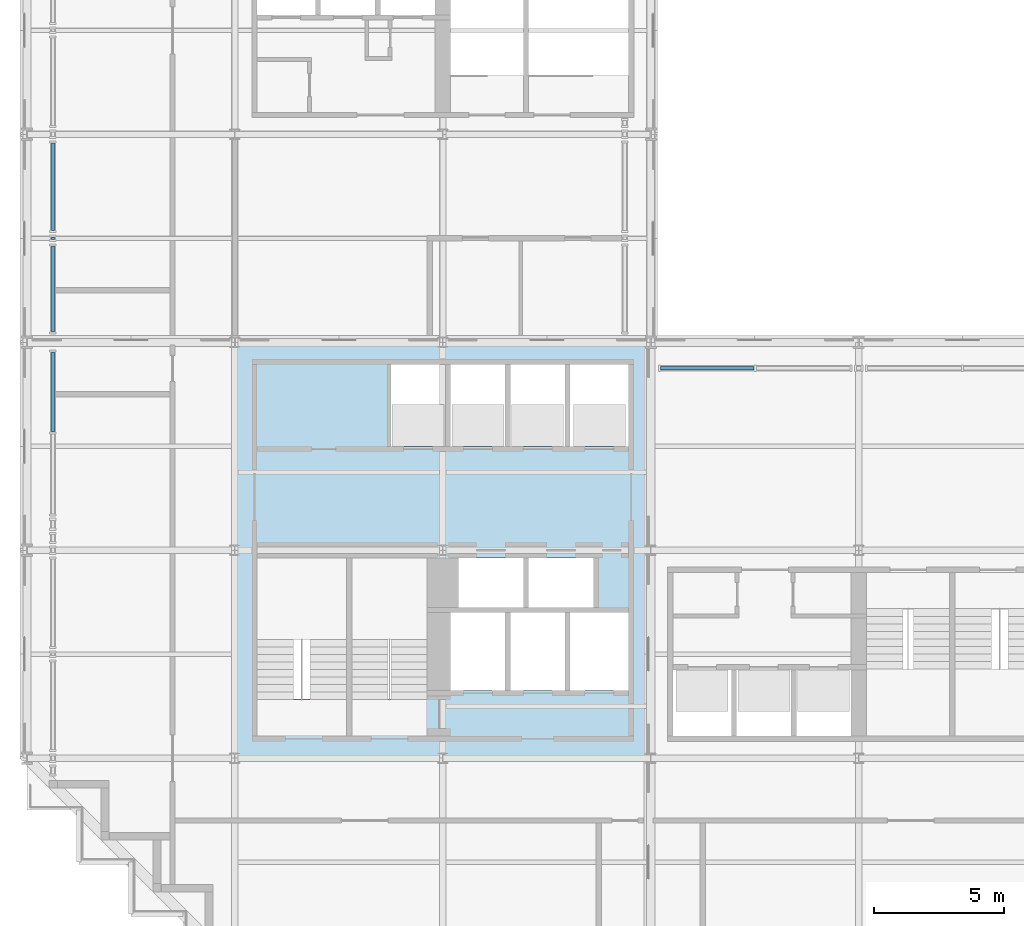
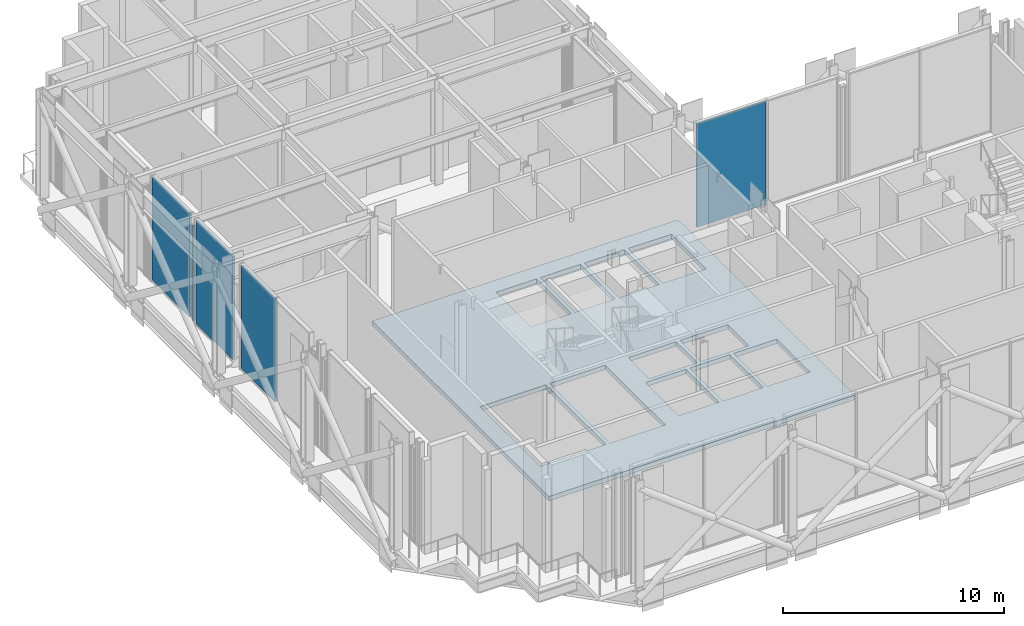
# One storey, part 11 of 23: 5 plates, 1 slab, 5 elements without a shape of their own.
"""IFC4 building model written with IfcOpenShell, lengths in metres."""

from ifc_helpers import new_model, si_unit, direction, frame, origin, origin_2d, place, context, subcontext, project, spatial, polyline, rectangle, outline, extrude, material, layer, layer_set, type_object, element, aggregate, save


model = new_model("IFC4")

# Units and contexts
model_context = context("Model", 3, precision=1e-05, world=origin(), true_north=direction((0.0, 1.0)))
body_context = subcontext(model_context, "Body", "Model", "MODEL_VIEW")
ifc_project = project(units=[si_unit("LENGTHUNIT", "METRE"), si_unit("AREAUNIT", "SQUARE_METRE"), si_unit("VOLUMEUNIT", "CUBIC_METRE"), si_unit("PLANEANGLEUNIT", "RADIAN"), si_unit("MASSUNIT", "GRAM", prefix="KILO")], contexts=[model_context])

# Site, building, storey
site_placement = place(None, origin())
site = spatial("IfcSite", under=ifc_project, at=site_placement, CompositionType="ELEMENT")
building_placement = place(site_placement, origin())
building = spatial("IfcBuilding", under=site, at=building_placement, Name="Immortelle Media Tower", CompositionType="ELEMENT")
storey_placement = place(building_placement, frame((0.0, 0.0, 183.0)))
storey = spatial("IfcBuildingStorey", under=building, at=storey_placement, Name="L38", CompositionType="ELEMENT", Elevation=183.0)

# Slab
ifc_material_1 = material(Name="Concrete C50/60", Category="concrete")
ifc_layer_1 = layer(ifc_material_1, 0.25)
ifc_layer_set_1 = layer_set([ifc_layer_1], Name="Concrete C50/60")
slab_type = type_object("IfcSlabType", Name="Core floor slab 250", PredefinedType="FLOOR", material=ifc_layer_set_1)
slab_placement = place(storey_placement, frame((0.0, 0.0, -0.25)))
element("IfcSlab", 1, at=slab_placement, inside=storey, type_object=slab_type, Name="Core floor SW", PredefinedType="FLOOR", context=body_context, shape_type="SweptSolid", body=[
    extrude(outline(polyline([(24.0, 8.0), (8.0, 8.0), (8.0, 24.0), (23.89990234375, 24.0), (23.89990234375, 23.89990234375), (24.0, 23.89990234375), (24.0, 8.0)]), holes=[polyline([(14.0, 20.0), (16.10009765625, 20.0), (16.10009765625, 23.14990234375), (14.0, 23.14990234375), (14.0, 20.0)]), polyline([(16.300048828125, 20.0), (18.39990234375, 20.0), (18.39990234375, 23.14990234375), (16.300048828125, 23.14990234375), (16.300048828125, 20.0)]), polyline([(18.60009765625, 20.0), (20.699951171875, 20.0), (20.699951171875, 23.14990234375), (18.60009765625, 23.14990234375), (18.60009765625, 20.0)]), polyline([(20.89990234375, 20.0), (23.14990234375, 20.0), (23.14990234375, 23.14990234375), (20.89990234375, 23.14990234375), (20.89990234375, 20.0)]), polyline([(16.60009765625, 13.800048828125), (19.10009765625, 13.800048828125), (19.10009765625, 15.699951171875), (16.60009765625, 15.699951171875), (16.60009765625, 13.800048828125)]), polyline([(19.300048828125, 13.800048828125), (21.800048828125, 13.800048828125), (21.800048828125, 15.699951171875), (19.300048828125, 15.699951171875), (19.300048828125, 13.800048828125)]), polyline([(16.300048828125, 10.60009765625), (18.39990234375, 10.60009765625), (18.39990234375, 13.60009765625), (16.300048828125, 13.60009765625), (16.300048828125, 10.60009765625)]), polyline([(18.60009765625, 10.60009765625), (20.699951171875, 10.60009765625), (20.699951171875, 13.60009765625), (18.60009765625, 13.60009765625), (18.60009765625, 10.60009765625)]), polyline([(20.89990234375, 10.60009765625), (23.14990234375, 10.60009765625), (23.14990234375, 13.60009765625), (20.89990234375, 13.60009765625), (20.89990234375, 10.60009765625)]), polyline([(8.85009765625, 10.27001953125), (12.300048828125, 10.27001953125), (12.300048828125, 15.699951171875), (8.85009765625, 15.699951171875), (8.85009765625, 10.27001953125)]), polyline([(12.5, 10.27001953125), (15.39990234375, 10.27001953125), (15.39990234375, 15.699951171875), (12.5, 15.699951171875), (12.5, 10.27001953125)])]), origin(), (0.0, 0.0, 1.0), 0.25),
])

# Curtain wall, plate
ifc_material_2 = material(Name="Aluminium curtain wall system", Category="aluminium")
curtain_wall_type = type_object("IfcCurtainWallType", Name="Plant louvre wall curtain wall", PredefinedType="NOTDEFINED", material=ifc_material_2)
curtain_wall_1_placement = place(storey_placement, origin())
curtain_wall_1 = element("IfcCurtainWall", 2, at=curtain_wall_1_placement, inside=storey, type_object=curtain_wall_type, Name="Plant louvre wall L38 N 21-6", PredefinedType="NOTDEFINED")
ifc_material_3 = material(Name="Pale aluminium louvre panel", Category="aluminium")
ifc_layer_2 = layer(ifc_material_3, 0.1201171875)
ifc_layer_set_2 = layer_set([ifc_layer_2], Name="Pale aluminium louvre panel")
plate_type = type_object("IfcPlateType", Name="Dust and storm rated louvre panel 120 mm", PredefinedType="CURTAIN_PANEL", material=ifc_layer_set_2)
plate_1_placement = place(storey_placement, frame((26.17578125, 23.0, 0.080078125), z_axis=(0.0, 0.0, 1.0), x_axis=(-1.0, 0.0, 0.0)))
plate_1 = element("IfcPlate", 3, at=plate_1_placement, type_object=plate_type, Name="CW6 panel 2.1", PredefinedType="CURTAIN_PANEL", context=body_context, shape_type="SweptSolid", body=[
    extrude(rectangle(XDim=3.606689453125, YDim=0.1201171875, at=origin_2d()), origin(), (0.0, 0.0, 1.0), 5.689453125),
])
aggregate(curtain_wall_1, [plate_1])

curtain_wall_2_placement = place(storey_placement, origin())
curtain_wall_2 = element("IfcCurtainWall", 4, at=curtain_wall_2_placement, inside=storey, type_object=curtain_wall_type, Name="Plant louvre wall L38 W 36-7", PredefinedType="NOTDEFINED")
plate_2_placement = place(storey_placement, frame((1.0, 29.981201171875, 0.080078125), z_axis=(0.0, 0.0, 1.0), x_axis=(0.0, -1.0, 0.0)))
plate_2 = element("IfcPlate", 5, at=plate_2_placement, type_object=plate_type, Name="CW6 panel 1.1", PredefinedType="CURTAIN_PANEL", context=body_context, shape_type="SweptSolid", body=[
    extrude(rectangle(XDim=3.369384765625, YDim=0.1201171875, at=origin_2d()), origin(), (0.0, 0.0, 1.0), 5.689453125),
])
aggregate(curtain_wall_2, [plate_2])

curtain_wall_3_placement = place(storey_placement, origin())
curtain_wall_3 = element("IfcCurtainWall", 6, at=curtain_wall_3_placement, inside=storey, type_object=curtain_wall_type, Name="Plant louvre wall L38 W 36-8", PredefinedType="NOTDEFINED")
plate_3_placement = place(storey_placement, frame((1.0, 28.0, 0.080078125), z_axis=(0.0, 0.0, 1.0), x_axis=(0.0, -1.0, 0.0)))
plate_3 = element("IfcPlate", 7, at=plate_3_placement, type_object=plate_type, Name="CW6 panel 1.1", PredefinedType="CURTAIN_PANEL", context=body_context, shape_type="SweptSolid", body=[
    extrude(rectangle(XDim=0.093017578125, YDim=0.1201171875, at=origin_2d()), origin(), (0.0, 0.0, 1.0), 5.234619140625),
])
aggregate(curtain_wall_3, [plate_3])

curtain_wall_4_placement = place(storey_placement, origin())
curtain_wall_4 = element("IfcCurtainWall", 8, at=curtain_wall_4_placement, inside=storey, type_object=curtain_wall_type, Name="Plant louvre wall L38 W 36-9", PredefinedType="NOTDEFINED")
plate_4_placement = place(storey_placement, frame((1.0, 26.0498046875, 0.080078125), z_axis=(0.0, 0.0, 1.0), x_axis=(0.0, -1.0, 0.0)))
plate_4 = element("IfcPlate", 9, at=plate_4_placement, type_object=plate_type, Name="CW6 panel 1.1", PredefinedType="CURTAIN_PANEL", context=body_context, shape_type="SweptSolid", body=[
    extrude(rectangle(XDim=3.3076171875, YDim=0.1201171875, at=origin_2d()), origin(), (0.0, 0.0, 1.0), 5.689453125),
])
aggregate(curtain_wall_4, [plate_4])

curtain_wall_5_placement = place(storey_placement, origin())
curtain_wall_5 = element("IfcCurtainWall", 10, at=curtain_wall_5_placement, inside=storey, type_object=curtain_wall_type, Name="Plant louvre wall L38 W 36-10", PredefinedType="NOTDEFINED")
plate_5_placement = place(storey_placement, frame((1.0, 22.091064453125, 0.080078125), z_axis=(0.0, 0.0, 1.0), x_axis=(0.0, -1.0, 0.0)))
plate_5 = element("IfcPlate", 11, at=plate_5_placement, type_object=plate_type, Name="CW6 panel 1.1", PredefinedType="CURTAIN_PANEL", context=body_context, shape_type="SweptSolid", body=[
    extrude(rectangle(XDim=3.072998046875, YDim=0.1201171875, at=origin_2d()), origin(), (0.0, 0.0, 1.0), 5.689453125),
])
aggregate(curtain_wall_5, [plate_5])

save(model, "model.ifc")
